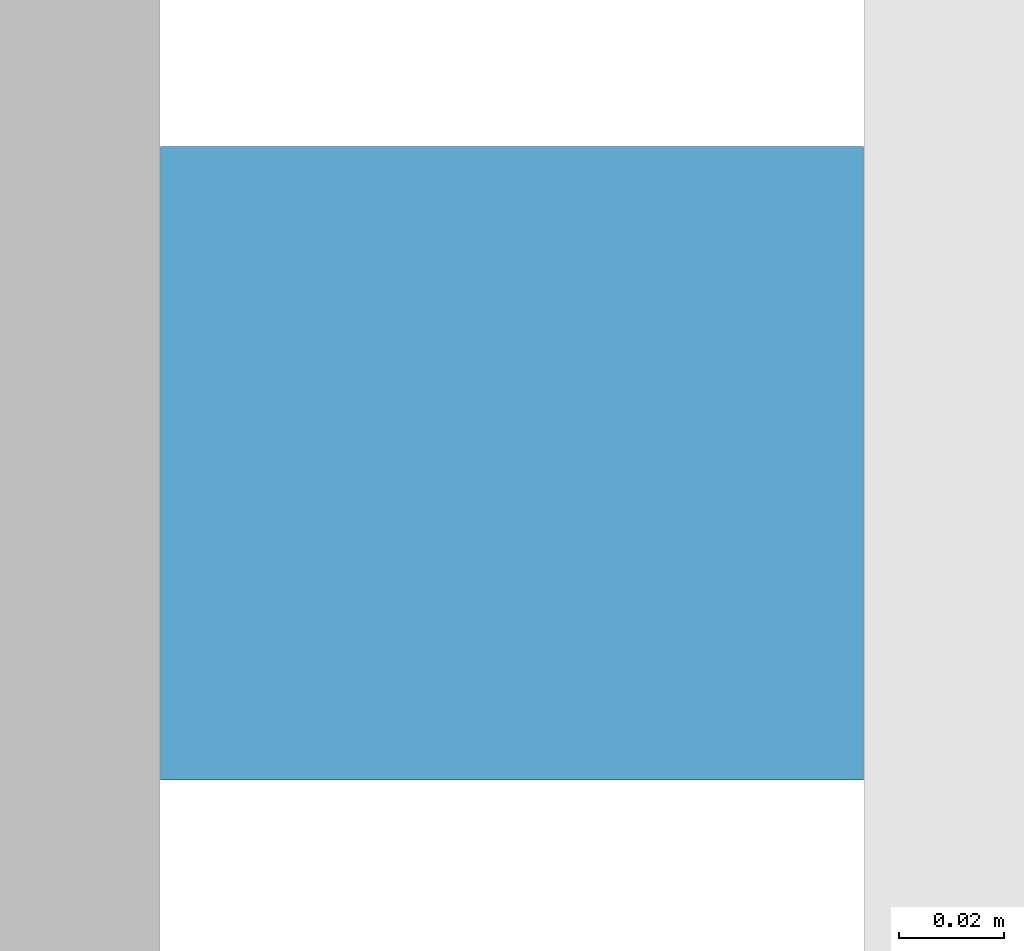
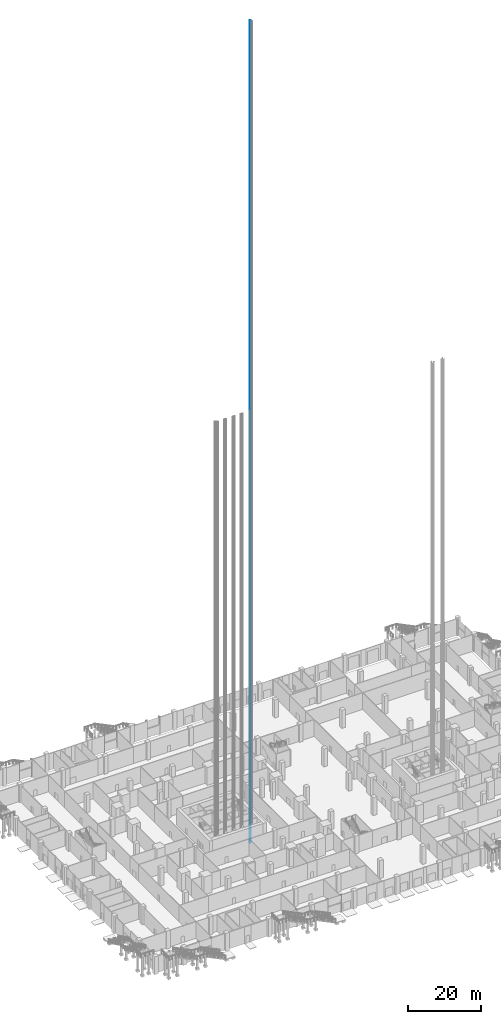
# One storey, part 51 of 68: 1 discrete accessory.
"""IFC4 building model written with IfcOpenShell, lengths in metres."""

from ifc_helpers import new_model, si_unit, direction, frame, origin, origin_2d, place, context, subcontext, project, spatial, rectangle, extrude, element, save


model = new_model("IFC4")

# Units and contexts
model_context = context("Model", 3, precision=1e-05, world=origin(), true_north=direction((0.0, 1.0)))
body_context = subcontext(model_context, "Body", "Model", "MODEL_VIEW")
ifc_project = project(units=[si_unit("LENGTHUNIT", "METRE"), si_unit("AREAUNIT", "SQUARE_METRE"), si_unit("VOLUMEUNIT", "CUBIC_METRE"), si_unit("PLANEANGLEUNIT", "RADIAN"), si_unit("MASSUNIT", "GRAM", prefix="KILO")], contexts=[model_context])

# Site, building, storey
site_placement = place(None, origin())
site = spatial("IfcSite", under=ifc_project, at=site_placement, CompositionType="ELEMENT")
building_placement = place(site_placement, origin())
building = spatial("IfcBuilding", under=site, at=building_placement, Name="Altepetl Exchange Towers", CompositionType="ELEMENT")
storey_placement = place(building_placement, origin())
storey = spatial("IfcBuildingStorey", under=building, at=storey_placement, Name="L00 Ground concourse", CompositionType="ELEMENT", Elevation=0.0)

# Discrete accessory
discrete_accessory_placement = place(storey_placement, frame((55.0, 43.199951171875, -1.599853515625)))
element("IfcDiscreteAccessory", 1, at=discrete_accessory_placement, inside=storey, Name="Guide rail OBS1", ObjectType="GUIDE RAIL", PredefinedType="USERDEFINED", context=body_context, shape_type="SweptSolid", body=[
    extrude(rectangle(XDim=0.13330078125, YDim=0.1201171875, at=origin_2d()), origin(), (0.0, 0.0, 1.0), 275.64990234375),
])

save(model, "model.ifc")
